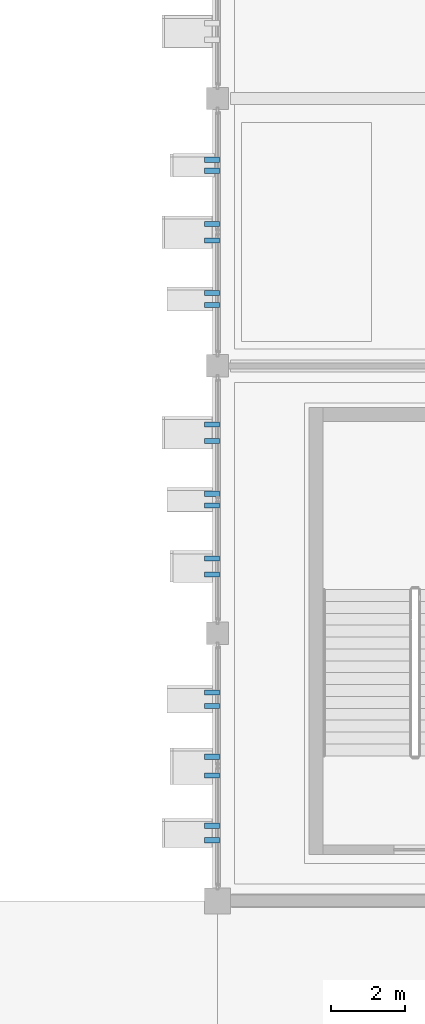
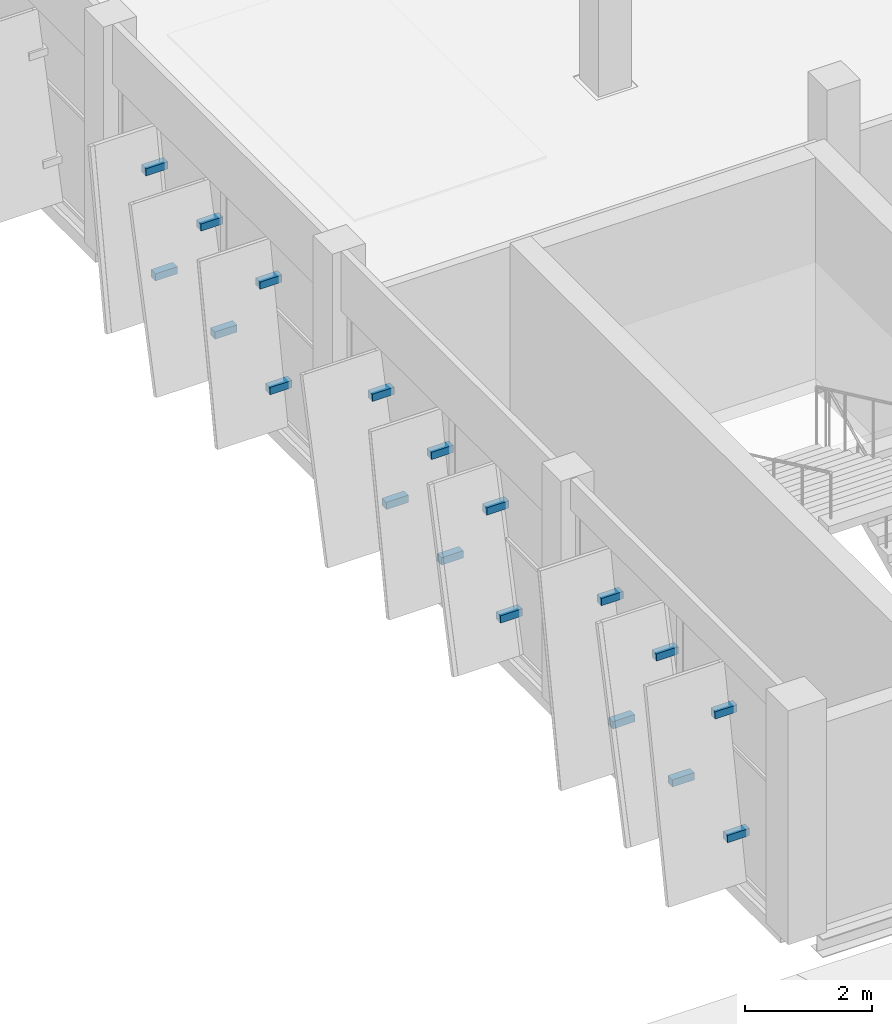
# One storey, part 109 of 124: 18 discrete accessories.
"""IFC4 building model written with IfcOpenShell, lengths in metres."""

from ifc_helpers import new_model, si_unit, direction, frame, origin, origin_2d, place, context, subcontext, project, spatial, rectangle, extrude, material, type_object, element, save


model = new_model("IFC4")

# Units and contexts
model_context = context("Model", 3, precision=1e-05, world=origin(), true_north=direction((0.0, 1.0)))
body_context = subcontext(model_context, "Body", "Model", "MODEL_VIEW")
ifc_project = project(units=[si_unit("LENGTHUNIT", "METRE"), si_unit("AREAUNIT", "SQUARE_METRE"), si_unit("VOLUMEUNIT", "CUBIC_METRE"), si_unit("PLANEANGLEUNIT", "RADIAN"), si_unit("MASSUNIT", "GRAM", prefix="KILO")], contexts=[model_context])

# Site, building, storey
site_placement = place(None, origin())
site = spatial("IfcSite", under=ifc_project, at=site_placement, CompositionType="ELEMENT")
building_placement = place(site_placement, origin())
building = spatial("IfcBuilding", under=site, at=building_placement, Name="Celestram Park Convention Centre", CompositionType="ELEMENT")
storey_placement = place(building_placement, frame((0.0, 0.0, 15.300048828125)))
storey = spatial("IfcBuildingStorey", under=building, at=storey_placement, Name="L03", CompositionType="ELEMENT", Elevation=15.300048828125)

# Discrete accessories
ifc_material = material(Name="Steel ASTM A500 Grade C", Category="steel")
discrete_accessory_type = type_object("IfcDiscreteAccessoryType", Name="ARC-BRK-OUT400", PredefinedType="BRACKET", material=ifc_material)
for number, where, z_axis, x_axis, name in (
    (1, (35.85009765625, 109.628662109375, 0.80712890625), (0.0, 0.0, 1.0), (-1.0, 0.0, 0.0), "Solar fin outrigger bracket BK-L03-1225"),
    (2, (35.85009765625, 110.021240234375, 2.94677734375), (0.0, 0.0, 1.0), (-1.0, 0.0, 0.0), "Solar fin outrigger bracket BK-L03-1226"),
    (3, (35.85009765625, 111.373046875, 0.8193359375), (0.0, 0.0, 1.0), (-1.0, 0.0, 0.0), "Solar fin outrigger bracket BK-L03-1227"),
    (4, (35.85009765625, 111.876953125, 2.93505859375), (0.0, 0.0, 1.0), (-1.0, 0.0, 0.0), "Solar fin outrigger bracket BK-L03-1228"),
    (5, (35.85009765625, 113.239990234375, 0.80517578125), (0.0, 0.0, 1.0), (-1.0, 0.0, 0.0), "Solar fin outrigger bracket BK-L03-1229"),
    (6, (35.85009765625, 113.610107421875, 2.94873046875), (0.0, 0.0, 1.0), (-1.0, 0.0, 0.0), "Solar fin outrigger bracket BK-L03-1230"),
    (7, (35.85009765625, 116.7841796875, 0.69189453125), (0.0, 0.0, 1.0), (-1.0, 0.0, 0.0), "Solar fin outrigger bracket BK-L03-1231"),
    (8, (35.85009765625, 117.2158203125, 2.50390625), (0.0, 0.0, 1.0), (-1.0, 0.0, 0.0), "Solar fin outrigger bracket BK-L03-1232"),
    (9, (35.85009765625, 118.6416015625, 0.68017578125), (0.0, 0.0, 1.0), (-1.0, 0.0, 0.0), "Solar fin outrigger bracket BK-L03-1233"),
    (10, (35.85009765625, 118.95849609375, 2.515625), (0.0, 0.0, 1.0), (-1.0, 0.0, 0.0), "Solar fin outrigger bracket BK-L03-1234"),
    (11, (35.85009765625, 120.3779296875, 0.69384765625), (0.0, 0.0, 1.0), (-1.0, 0.0, 0.0), "Solar fin outrigger bracket BK-L03-1235"),
    (12, (35.85009765625, 120.822021484375, 2.50244140625), (0.0, 0.0, 1.0), (-1.0, 0.0, 0.0), "Solar fin outrigger bracket BK-L03-1236"),
    (13, (35.85009765625, 124.04150390625, 0.68017578125), (0.0, 0.0, 1.0), (-1.0, 0.0, 0.0), "Solar fin outrigger bracket BK-L03-1237"),
    (14, (35.85009765625, 124.3583984375, 2.515625), (0.0, 0.0, 1.0), (-1.0, 0.0, 0.0), "Solar fin outrigger bracket BK-L03-1238"),
    (15, (35.85009765625, 125.77783203125, 0.69384765625), (0.0, 0.0, 1.0), (-1.0, 0.0, 0.0), "Solar fin outrigger bracket BK-L03-1239"),
    (16, (35.85009765625, 126.22216796875, 2.50244140625), (0.0, 0.0, 1.0), (-1.0, 0.0, 0.0), "Solar fin outrigger bracket BK-L03-1240"),
    (17, (35.85009765625, 127.651123046875, 0.6787109375), (0.0, 0.0, 1.0), (-1.0, 0.0, 0.0), "Solar fin outrigger bracket BK-L03-1241"),
    (18, (35.85009765625, 127.948974609375, 2.51708984375), (0.0, 0.0, 1.0), (-1.0, 0.0, 0.0), "Solar fin outrigger bracket BK-L03-1242"),
):
    element("IfcDiscreteAccessory", number, at=place(storey_placement, frame(where, z_axis=z_axis, x_axis=x_axis)), inside=storey, type_object=discrete_accessory_type, Name=name, PredefinedType="BRACKET", context=body_context, shape_type="SweptSolid", body=[
        extrude(rectangle(XDim=0.39990234375, YDim=0.139892578125, at=origin_2d()), origin(), (0.0, 0.0, 1.0), 0.139892578125),
    ])

save(model, "model.ifc")
